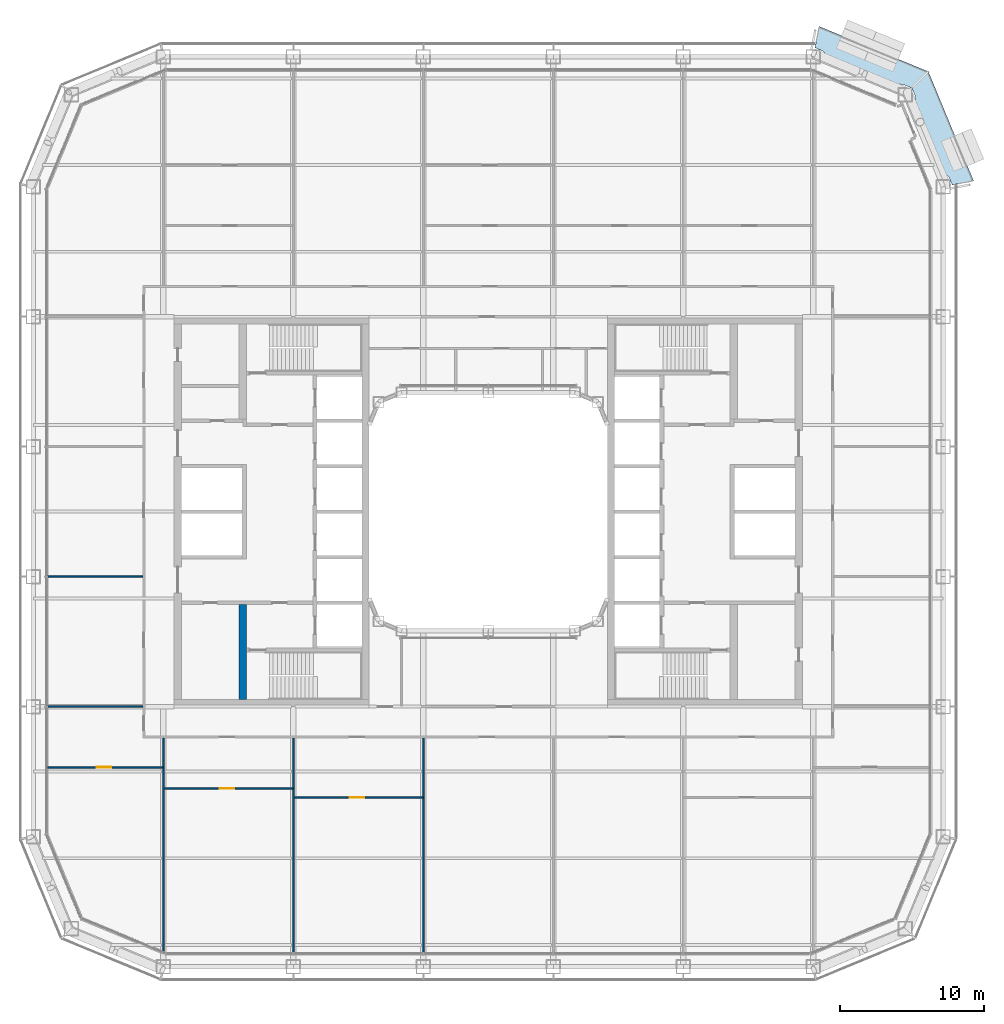
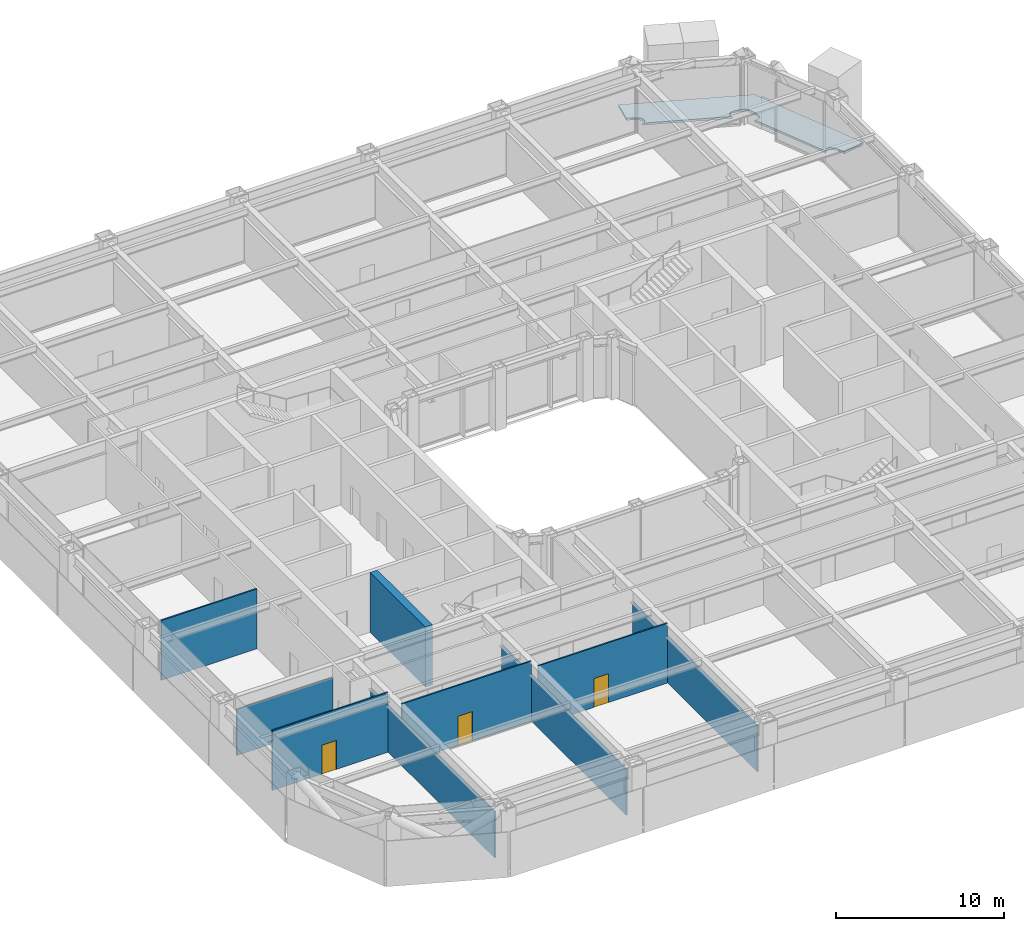
# One storey, part 12 of 30: 9 walls, 3 doors, 1 slab, 3 openings.
"""IFC4 building model written with IfcOpenShell, lengths in metres."""

from ifc_helpers import new_model, si_unit, direction, frame, frame_2d, origin, place, context, subcontext, project, spatial, polyline, rectangle, outline, extrude, material, layer, layer_set, type_object, element, fill, save


model = new_model("IFC4")

# Units and contexts
model_context = context("Model", 3, precision=1e-05, world=origin(), true_north=direction((0.0, 1.0)))
body_context = subcontext(model_context, "Body", "Model", "MODEL_VIEW")
ifc_project = project(units=[si_unit("LENGTHUNIT", "METRE"), si_unit("AREAUNIT", "SQUARE_METRE"), si_unit("VOLUMEUNIT", "CUBIC_METRE"), si_unit("PLANEANGLEUNIT", "RADIAN"), si_unit("MASSUNIT", "GRAM", prefix="KILO")], contexts=[model_context])

# Site, building, storey
site_placement = place(None, origin())
site = spatial("IfcSite", under=ifc_project, at=site_placement, CompositionType="ELEMENT")
building_placement = place(site_placement, origin())
building = spatial("IfcBuilding", under=site, at=building_placement, Name="Siwar Civic Tower", CompositionType="ELEMENT")
storey_placement = place(building_placement, frame((0.0, 0.0, 62.699951171875)))
storey = spatial("IfcBuildingStorey", under=building, at=storey_placement, Name="L13", CompositionType="ELEMENT", Elevation=62.699951171875)

# Slab
ifc_material_1 = material(Name="Concrete C40/50", Category="concrete")
ifc_layer_1 = layer(ifc_material_1, 0.14990234375)
ifc_layer_set_1 = layer_set([ifc_layer_1], Name="Concrete C40/50")
slab_type = type_object("IfcSlabType", Name="ENV-BALCONY DECK 150", PredefinedType="FLOOR", material=ifc_layer_set_1)
slab_placement = place(storey_placement, frame((0.0, 0.0, -0.1494140625)))
element("IfcSlab", 1, at=slab_placement, inside=storey, type_object=slab_type, Name="Tree balcony deck NE", PredefinedType="FLOOR", context=body_context, shape_type="SweptSolid", body=[
    extrude(outline(polyline([(29.38916015625, 29.19189453125), (29.3916015625, 29.186767578125), (29.3916015625, 29.186767578125), (29.39794921875, 29.17138671875), (29.40771484375, 29.14794921875), (29.478759765625, 28.977294921875), (29.49169921875, 28.9462890625), (29.514404296875, 28.891845703125), (29.517578125, 28.884033203125), (29.5185546875, 28.881591796875), (29.5439453125, 28.814208984375), (29.545654296875, 28.80908203125), (29.56591796875, 28.739990234375), (29.567138671875, 28.73486328125), (29.58251953125, 28.66455078125), (29.583984375, 28.6572265625), (29.591064453125, 28.59375), (29.59130859375, 28.59130859375), (29.59716796875, 28.51953125), (29.597412109375, 28.51318359375), (29.59716796875, 28.506591796875), (29.592041015625, 28.45068359375), (29.59130859375, 28.445068359375), (29.58203125, 28.389404296875), (29.5810546875, 28.38427734375), (29.56787109375, 28.32958984375), (29.566162109375, 28.3232421875), (29.56396484375, 28.3173828125), (29.544189453125, 28.271484375), (29.540771484375, 28.264404296875), (29.53662109375, 28.2578125), (29.5107421875, 28.221435546875), (29.507080078125, 28.216552734375), (29.502685546875, 28.2119140625), (29.498291015625, 28.20751953125), (29.467041015625, 28.180908203125), (29.46142578125, 28.1767578125), (29.45556640625, 28.173095703125), (29.449462890625, 28.169921875), (29.413330078125, 28.1533203125), (29.408447265625, 28.151123046875), (29.37109375, 28.13720703125), (29.364501953125, 28.135009765625), (29.35791015625, 28.133544921875), (29.35107421875, 28.132568359375), (29.31005859375, 28.129150390625), (29.3037109375, 28.12890625), (29.297607421875, 28.129150390625), (29.29150390625, 28.1298828125), (29.247314453125, 28.137451171875), (29.23974609375, 28.13916015625), (29.232177734375, 28.1416015625), (29.185791015625, 28.159912109375), (29.179931640625, 28.16259765625), (29.17431640625, 28.16552734375), (29.14599609375, 28.182861328125), (31.20556640625, 23.210693359375), (31.217529296875, 23.260986328125), (31.21923828125, 23.26708984375), (31.2216796875, 23.273193359375), (31.2412109375, 23.31884765625), (31.244873046875, 23.325927734375), (31.2490234375, 23.332763671875), (31.274658203125, 23.369140625), (31.278564453125, 23.3740234375), (31.28271484375, 23.378662109375), (31.287353515625, 23.3828125), (31.318603515625, 23.40966796875), (31.323974609375, 23.413818359375), (31.329833984375, 23.41748046875), (31.3359375, 23.420654296875), (31.3720703125, 23.437255859375), (31.376953125, 23.439453125), (31.414306640625, 23.453369140625), (31.4208984375, 23.45556640625), (31.427734375, 23.45703125), (31.4345703125, 23.4580078125), (31.4755859375, 23.46142578125), (31.481689453125, 23.461669921875), (31.488037109375, 23.461181640625), (31.494140625, 23.46044921875), (31.5380859375, 23.453125), (31.5458984375, 23.451416015625), (31.55322265625, 23.448974609375), (31.599609375, 23.4306640625), (31.60546875, 23.427978515625), (31.611083984375, 23.4248046875), (31.659423828125, 23.3955078125), (31.66357421875, 23.392578125), (31.709716796875, 23.360107421875), (31.717529296875, 23.353515625), (31.764404296875, 23.309814453125), (31.76806640625, 23.30615234375), (31.8115234375, 23.25927734375), (31.815185546875, 23.255126953125), (31.85498046875, 23.205322265625), (31.859619140625, 23.198974609375), (31.898681640625, 23.138671875), (31.9013671875, 23.134033203125), (31.93603515625, 23.07080078125), (31.9384765625, 23.06591796875), (31.968505859375, 23.0), (32.0, 23.0), (32.0, 22.92529296875), (32.0927734375, 22.70263671875), (32.095947265625, 22.69482421875), (32.095947265625, 22.69482421875), (32.098388671875, 22.688232421875), (32.1064453125, 22.662109375), (32.108154296875, 22.6552734375), (32.109375, 22.648193359375), (32.1123046875, 22.621826171875), (33.60009765625, 22.917724609375), (30.47119140625, 30.47119140625), (22.917724609375, 33.60009765625), (22.62109375, 32.1083984375), (22.6259765625, 32.1083984375), (22.6484375, 32.107421875), (22.649658203125, 32.107421875), (22.6513671875, 32.107421875), (22.655029296875, 32.10693359375), (22.656982421875, 32.106689453125), (22.65771484375, 32.1064453125), (22.658447265625, 32.1064453125), (22.66552734375, 32.104736328125), (22.686279296875, 32.098876953125), (22.69482421875, 32.095947265625), (22.70263671875, 32.0927734375), (22.719970703125, 32.085693359375), (22.72607421875, 32.0830078125), (22.749267578125, 32.0732421875), (22.7587890625, 32.0693359375), (22.92529296875, 32.0), (23.0, 32.0), (23.0, 31.968505859375), (23.06591796875, 31.9384765625), (23.07080078125, 31.93603515625), (23.134033203125, 31.9013671875), (23.138671875, 31.898681640625), (23.198974609375, 31.859619140625), (23.205322265625, 31.85498046875), (23.255126953125, 31.815185546875), (23.25927734375, 31.8115234375), (23.30615234375, 31.76806640625), (23.309814453125, 31.764404296875), (23.353515625, 31.717529296875), (23.360107421875, 31.709716796875), (23.392578125, 31.66357421875), (23.3955078125, 31.659423828125), (23.4248046875, 31.611083984375), (23.427978515625, 31.60546875), (23.4306640625, 31.599609375), (23.448974609375, 31.55322265625), (23.451416015625, 31.5458984375), (23.453125, 31.5380859375), (23.46044921875, 31.494140625), (23.461181640625, 31.488037109375), (23.461669921875, 31.481689453125), (23.46142578125, 31.4755859375), (23.4580078125, 31.4345703125), (23.45703125, 31.427734375), (23.45556640625, 31.4208984375), (23.453369140625, 31.414306640625), (23.439453125, 31.376953125), (23.437255859375, 31.3720703125), (23.420654296875, 31.3359375), (23.41748046875, 31.329833984375), (23.413818359375, 31.323974609375), (23.40966796875, 31.318603515625), (23.3828125, 31.287353515625), (23.378662109375, 31.28271484375), (23.3740234375, 31.278564453125), (23.369140625, 31.274658203125), (23.332763671875, 31.2490234375), (23.325927734375, 31.244873046875), (23.31884765625, 31.2412109375), (23.273193359375, 31.2216796875), (23.26708984375, 31.21923828125), (23.260986328125, 31.217529296875), (23.210693359375, 31.20556640625), (28.182861328125, 29.14599609375), (28.16552734375, 29.17431640625), (28.16259765625, 29.179931640625), (28.159912109375, 29.185791015625), (28.1416015625, 29.232177734375), (28.13916015625, 29.23974609375), (28.137451171875, 29.247314453125), (28.1298828125, 29.29150390625), (28.129150390625, 29.297607421875), (28.12890625, 29.3037109375), (28.129150390625, 29.31005859375), (28.132568359375, 29.35107421875), (28.133544921875, 29.35791015625), (28.135009765625, 29.364501953125), (28.13720703125, 29.37109375), (28.151123046875, 29.408447265625), (28.1533203125, 29.413330078125), (28.169921875, 29.449462890625), (28.173095703125, 29.45556640625), (28.1767578125, 29.46142578125), (28.180908203125, 29.467041015625), (28.20751953125, 29.498291015625), (28.2119140625, 29.502685546875), (28.216552734375, 29.507080078125), (28.221435546875, 29.5107421875), (28.2578125, 29.53662109375), (28.264404296875, 29.540771484375), (28.271484375, 29.544189453125), (28.3173828125, 29.56396484375), (28.3232421875, 29.566162109375), (28.32958984375, 29.56787109375), (28.38427734375, 29.5810546875), (28.389404296875, 29.58203125), (28.445068359375, 29.59130859375), (28.45068359375, 29.592041015625), (28.506591796875, 29.59716796875), (28.51318359375, 29.597412109375), (28.51953125, 29.59716796875), (28.59130859375, 29.59130859375), (28.59375, 29.591064453125), (28.6572265625, 29.583984375), (28.66455078125, 29.58251953125), (28.73486328125, 29.567138671875), (28.739990234375, 29.56591796875), (28.80908203125, 29.545654296875), (28.814208984375, 29.5439453125), (28.881591796875, 29.5185546875), (28.884033203125, 29.517578125), (28.891845703125, 29.514404296875), (28.9462890625, 29.49169921875), (28.977294921875, 29.478759765625), (29.10546875, 29.425537109375), (29.116943359375, 29.420654296875), (29.14794921875, 29.40771484375), (29.17138671875, 29.39794921875), (29.186767578125, 29.3916015625), (29.195068359375, 29.387451171875), (29.2138671875, 29.376953125), (29.219970703125, 29.373046875), (29.220703125, 29.37255859375), (29.22119140625, 29.3720703125), (29.22265625, 29.370849609375), (29.2255859375, 29.36865234375), (29.226806640625, 29.367431640625), (29.227783203125, 29.36669921875), (29.230712890625, 29.364013671875), (29.364013671875, 29.364013671875), (29.364013671875, 29.238037109375), (29.367431640625, 29.233154296875), (29.373046875, 29.2236328125), (29.38916015625, 29.19189453125)])), origin(), (0.0, 0.0, 1.0), 0.1494140625),
])

# Wall
ifc_material_2 = material(Name="Concrete C60/75", Category="concrete")
ifc_layer_2 = layer(ifc_material_2, 0.5)
ifc_layer_set_2 = layer_set([ifc_layer_2], Name="Concrete C60/75")
wall_type_1 = type_object("IfcWallType", Name="CORE-WALL-RC500", PredefinedType="SHEAR", material=ifc_layer_set_2)
wall_1_placement = place(storey_placement, frame((-17.0, -13.0, 0.0), z_axis=(0.0, 0.0, 1.0), x_axis=(0.0, 1.0, 0.0)))
element("IfcWall", 2, at=wall_1_placement, inside=storey, type_object=wall_type_1, Name="Core wall W", PredefinedType="SHEAR", context=body_context, shape_type="SweptSolid", body=[
    extrude(rectangle(XDim=6.574951171875, YDim=0.5, at=frame_2d((3.28759765625, 0.0))), origin(), (0.0, 0.0, 1.0), 4.35009765625),
])

# Wall, opening, door
ifc_material_3 = material(Name="Gypsum board on steel studs", Category="steel")
ifc_layer_3 = layer(ifc_material_3, 0.10009765625)
ifc_layer_set_3 = layer_set([ifc_layer_3], Name="Gypsum board on steel studs")
wall_type_2 = type_object("IfcWallType", Name="PARTITION 100 GYPSUM", PredefinedType="PARTITIONING", material=ifc_layer_set_3)
wall_2_placement = place(storey_placement, frame((-13.449951171875, -19.800048828125, 0.0), z_axis=(0.0, 0.0, 1.0), x_axis=(1.0, 0.0, 0.0)))
wall_2 = element("IfcWall", 3, at=wall_2_placement, inside=storey, type_object=wall_type_2, Name="L13/wall/P01", PredefinedType="PARTITIONING", context=body_context, shape_type="SweptSolid", body=[
    extrude(rectangle(XDim=8.89990234375, YDim=0.10009765625, at=frame_2d((4.449951171875, 0.0))), origin(), (0.0, 0.0, 1.0), 4.35009765625),
])
opening_1_placement = place(wall_2_placement, frame((3.85009765625, 0.0, 0.0)))
opening_1 = element("IfcOpeningElement", 4, at=opening_1_placement, cuts=wall_2, Name="Opening D2", PredefinedType="OPENING", context=body_context, shape_type="SweptSolid", body=[
    extrude(rectangle(XDim=1.0, YDim=2.10009765625, at=frame_2d((0.5, 1.050048828125))), frame((0.0, 0.06005859375, 0.0), z_axis=(0.0, -1.0, 0.0), x_axis=(1.0, 0.0, 0.0)), (0.0, 0.0, 1.0), 0.1201171875),
])
ifc_material_4 = material(Name="Timber, painted", Category="wood")
door_type = type_object("IfcDoorType", Name="DOOR 1000 X 2100", OperationType="SINGLE_SWING_LEFT", PredefinedType="DOOR", material=ifc_material_4)
door_1_placement = place(opening_1_placement, origin())
door_1 = element("IfcDoor", 5, at=door_1_placement, inside=storey, type_object=door_type, Name="L13-D15", OperationType="SINGLE_SWING_LEFT", OverallHeight=2.10009765625, OverallWidth=1.0, PredefinedType="DOOR", context=body_context, shape_type="SweptSolid", body=[
    extrude(rectangle(XDim=1.0, YDim=2.10009765625, at=frame_2d((0.5, 1.050048828125))), frame((0.0, 0.02490234375, 0.0), z_axis=(0.0, -1.0, 0.0), x_axis=(1.0, 0.0, 0.0)), (0.0, 0.0, 1.0), 0.050048828125),
])
fill(opening_1, door_1)

wall_3_placement = place(storey_placement, frame((-22.449951171875, -19.159912109375, 0.0), z_axis=(0.0, 0.0, 1.0), x_axis=(1.0, 0.0, 0.0)))
wall_3 = element("IfcWall", 6, at=wall_3_placement, inside=storey, type_object=wall_type_2, Name="L13/wall/P03", PredefinedType="PARTITIONING", context=body_context, shape_type="SweptSolid", body=[
    extrude(rectangle(XDim=8.89990234375, YDim=0.10009765625, at=frame_2d((4.449951171875, 0.0))), origin(), (0.0, 0.0, 1.0), 4.35009765625),
])
opening_2_placement = place(wall_3_placement, frame((3.85009765625, 0.0, 0.0)))
opening_2 = element("IfcOpeningElement", 7, at=opening_2_placement, cuts=wall_3, Name="Opening D2", PredefinedType="OPENING", context=body_context, shape_type="SweptSolid", body=[
    extrude(rectangle(XDim=1.0, YDim=2.10009765625, at=frame_2d((0.5, 1.050048828125))), frame((0.0, 0.06005859375, 0.0), z_axis=(0.0, -1.0, 0.0), x_axis=(1.0, 0.0, 0.0)), (0.0, 0.0, 1.0), 0.1201171875),
])
door_2_placement = place(opening_2_placement, origin())
door_2 = element("IfcDoor", 8, at=door_2_placement, inside=storey, type_object=door_type, Name="L13-D13", OperationType="SINGLE_SWING_LEFT", OverallHeight=2.10009765625, OverallWidth=1.0, PredefinedType="DOOR", context=body_context, shape_type="SweptSolid", body=[
    extrude(rectangle(XDim=1.0, YDim=2.10009765625, at=frame_2d((0.5, 1.050048828125))), frame((0.0, 0.02490234375, 0.0), z_axis=(0.0, -1.0, 0.0), x_axis=(1.0, 0.0, 0.0)), (0.0, 0.0, 1.0), 0.050048828125),
])
fill(opening_2, door_2)

wall_4_placement = place(storey_placement, frame((-30.510009765625, -17.699951171875, 0.0), z_axis=(0.0, 0.0, 1.0), x_axis=(1.0, 0.0, 0.0)))
wall_4 = element("IfcWall", 9, at=wall_4_placement, inside=storey, type_object=wall_type_2, Name="L13/wall/P04", PredefinedType="PARTITIONING", context=body_context, shape_type="SweptSolid", body=[
    extrude(rectangle(XDim=7.9599609375, YDim=0.10009765625, at=frame_2d((3.97998046875, 0.0))), origin(), (0.0, 0.0, 1.0), 4.35009765625),
])
opening_3_placement = place(wall_4_placement, frame((3.39990234375, 0.0, 0.0)))
opening_3 = element("IfcOpeningElement", 10, at=opening_3_placement, cuts=wall_4, Name="Opening D2", PredefinedType="OPENING", context=body_context, shape_type="SweptSolid", body=[
    extrude(rectangle(XDim=1.0, YDim=2.10009765625, at=frame_2d((0.5, 1.050048828125))), frame((0.0, 0.06005859375, 0.0), z_axis=(0.0, -1.0, 0.0), x_axis=(1.0, 0.0, 0.0)), (0.0, 0.0, 1.0), 0.1201171875),
])
door_3_placement = place(opening_3_placement, origin())
door_3 = element("IfcDoor", 11, at=door_3_placement, inside=storey, type_object=door_type, Name="L13-D23", OperationType="SINGLE_SWING_LEFT", OverallHeight=2.10009765625, OverallWidth=1.0, PredefinedType="DOOR", context=body_context, shape_type="SweptSolid", body=[
    extrude(rectangle(XDim=1.0, YDim=2.10009765625, at=frame_2d((0.5, 1.050048828125))), frame((0.0, 0.02490234375, 0.0), z_axis=(0.0, -1.0, 0.0), x_axis=(1.0, 0.0, 0.0)), (0.0, 0.0, 1.0), 0.050048828125),
])
fill(opening_3, door_3)

# Walls
wall_5_placement = place(storey_placement, frame((-30.510009765625, -13.5, 0.0), z_axis=(0.0, 0.0, 1.0), x_axis=(1.0, 0.0, 0.0)))
element("IfcWall", 12, at=wall_5_placement, inside=storey, type_object=wall_type_2, Name="L13/wall/P07", PredefinedType="PARTITIONING", context=body_context, shape_type="SweptSolid", body=[
    extrude(rectangle(XDim=6.5849609375, YDim=0.10009765625, at=frame_2d((3.29248046875, 0.0))), origin(), (0.0, 0.0, 1.0), 3.35009765625),
])
wall_6_placement = place(storey_placement, frame((-30.510009765625, -4.5, 0.0), z_axis=(0.0, 0.0, 1.0), x_axis=(1.0, 0.0, 0.0)))
element("IfcWall", 13, at=wall_6_placement, inside=storey, type_object=wall_type_2, Name="L13/wall/P10", PredefinedType="PARTITIONING", context=body_context, shape_type="SweptSolid", body=[
    extrude(rectangle(XDim=6.5849609375, YDim=0.10009765625, at=frame_2d((3.29248046875, 0.0))), origin(), (0.0, 0.0, 1.0), 4.35009765625),
])
wall_7_placement = place(storey_placement, frame((-22.5, -30.427978515625, 0.0), z_axis=(0.0, 0.0, 1.0), x_axis=(0.0, 1.0, 0.0)))
element("IfcWall", 14, at=wall_7_placement, inside=storey, type_object=wall_type_2, Name="L13/wall/P25", PredefinedType="PARTITIONING", context=body_context, shape_type="SweptSolid", body=[
    extrude(rectangle(XDim=14.7529296875, YDim=0.10009765625, at=frame_2d((7.37646484375, 0.0))), origin(), (0.0, 0.0, 1.0), 3.35009765625),
])
for number, where, z_axis, x_axis, name in (
    (15, (-13.5, -30.510009765625, 0.0), (0.0, 0.0, 1.0), (0.0, 1.0, 0.0), "L13/wall/P27"),
    (16, (-4.5, -30.510009765625, 0.0), (0.0, 0.0, 1.0), (0.0, 1.0, 0.0), "L13/wall/P30"),
):
    element("IfcWall", number, at=place(storey_placement, frame(where, z_axis=z_axis, x_axis=x_axis)), inside=storey, type_object=wall_type_2, Name=name, PredefinedType="PARTITIONING", context=body_context, shape_type="SweptSolid", body=[
        extrude(rectangle(XDim=14.8349609375, YDim=0.10009765625, at=frame_2d((7.41748046875, 0.0))), origin(), (0.0, 0.0, 1.0), 3.35009765625),
    ])

save(model, "model.ifc")
